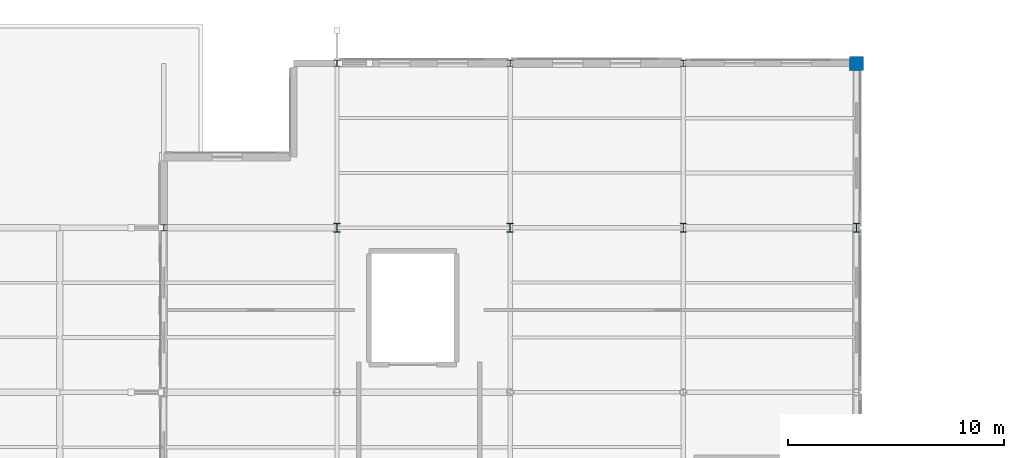
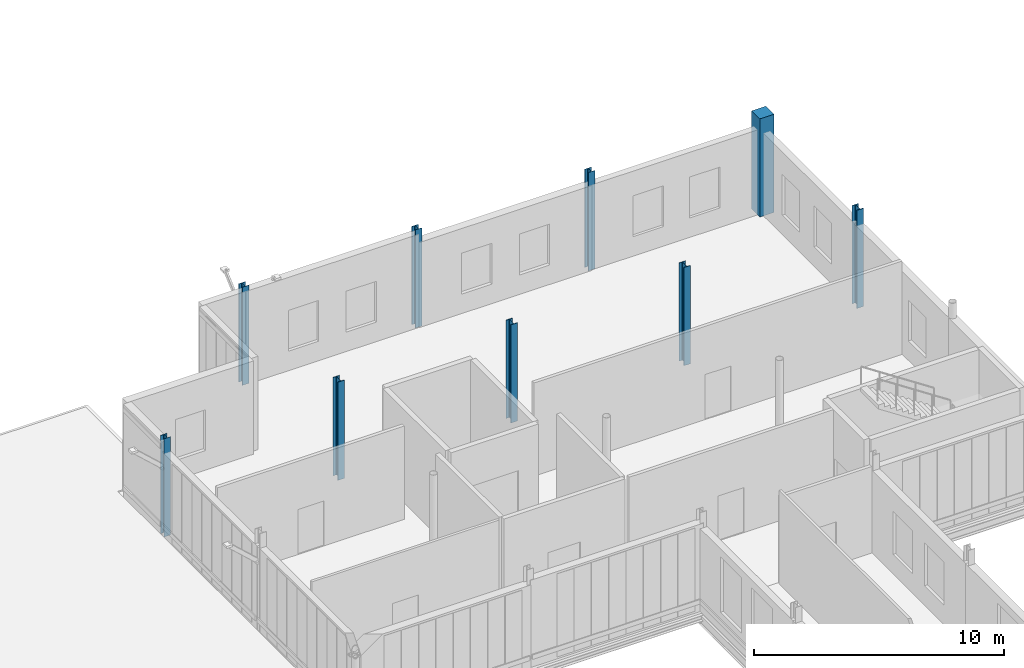
# One storey, part 16 of 120: 9 columns.
"""IFC4 building model written with IfcOpenShell, lengths in metres."""

from ifc_helpers import new_model, si_unit, direction, frame, origin, origin_2d, place, context, subcontext, project, spatial, rectangle, i_section, extrude, material, material_profile, profile_set, type_object, element, save


model = new_model("IFC4")

# Units and contexts
model_context = context("Model", 3, precision=1e-05, world=origin(), true_north=direction((0.0, 1.0)))
body_context = subcontext(model_context, "Body", "Model", "MODEL_VIEW")
ifc_project = project(units=[si_unit("LENGTHUNIT", "METRE"), si_unit("AREAUNIT", "SQUARE_METRE"), si_unit("VOLUMEUNIT", "CUBIC_METRE"), si_unit("PLANEANGLEUNIT", "RADIAN"), si_unit("MASSUNIT", "GRAM", prefix="KILO")], contexts=[model_context])

# Site, building, storey
site_placement = place(None, origin())
site = spatial("IfcSite", under=ifc_project, at=site_placement, CompositionType="ELEMENT")
building_placement = place(site_placement, origin())
building = spatial("IfcBuilding", under=site, at=building_placement, Name="Vekula Escarpment Museum", CompositionType="ELEMENT")
storey_placement = place(building_placement, frame((0.0, 0.0, 13.199951171875)))
storey = spatial("IfcBuildingStorey", under=building, at=storey_placement, Name="L03", CompositionType="ELEMENT", Elevation=13.199951171875)

# Columns
ifc_material_1 = material(Name="Steel S355", Category="steel")
ifc_material_profile_1 = material_profile(ifc_material_1, i_section(OverallWidth=0.300048828125, OverallDepth=0.2900390625, WebThickness=0.008544921875, FlangeThickness=0.013916015625, FilletRadius=0.027099609375, at=origin_2d()), Name="HEA 300")
ifc_profile_set_1 = profile_set([ifc_material_profile_1], Name="Steel S355")
column_type_1 = type_object("IfcColumnType", Name="COL-S-HEA300", PredefinedType="COLUMN", material=ifc_profile_set_1)
for number, where, z_axis, x_axis, name in (
    (1, (24.0, 128.39990234375, 0.0), (0.0, 0.0, 1.0), (1.0, 0.0, 0.0), "Column L03 (24.0,128.4)"),
    (2, (32.0, 136.0, 0.0), (0.0, 0.0, 1.0), (1.0, 0.0, 0.0), "Column L03 (32.0,136.0)"),
    (3, (40.0, 136.0, 0.0), (0.0, 0.0, 1.0), (1.0, 0.0, 0.0), "Column L03 (40.0,136.0)"),
    (4, (48.0, 136.0, 0.0), (0.0, 0.0, 1.0), (1.0, 0.0, 0.0), "Column L03 (48.0,136.0)"),
):
    element("IfcColumn", number, at=place(storey_placement, frame(where, z_axis=z_axis, x_axis=x_axis)), inside=storey, type_object=column_type_1, Name=name, PredefinedType="COLUMN", context=body_context, shape_type="SweptSolid", body=[
        extrude(i_section(OverallWidth=0.300048828125, OverallDepth=0.2900390625, WebThickness=0.008544921875, FlangeThickness=0.013916015625, FilletRadius=0.027099609375, at=origin_2d()), origin(), (0.0, 0.0, 1.0), 4.800048828125),
    ])
ifc_material_2 = material(Name="Steel S355", Category="steel")
ifc_material_profile_2 = material_profile(ifc_material_2, i_section(OverallWidth=0.300048828125, OverallDepth=0.39990234375, WebThickness=0.013427734375, FlangeThickness=0.02392578125, FilletRadius=0.027099609375, at=origin_2d()), Name="HEB 400")
ifc_profile_set_2 = profile_set([ifc_material_profile_2], Name="Steel S355")
column_type_2 = type_object("IfcColumnType", Name="COL-S-HEB400", PredefinedType="COLUMN", material=ifc_profile_set_2)
for number, where, z_axis, x_axis, name in (
    (5, (32.0, 128.39990234375, 0.0), (0.0, 0.0, 1.0), (1.0, 0.0, 0.0), "Column L03 (32.0,128.4)"),
    (6, (40.0, 128.39990234375, 0.0), (0.0, 0.0, 1.0), (1.0, 0.0, 0.0), "Column L03 (40.0,128.4)"),
    (7, (48.0, 128.39990234375, 0.0), (0.0, 0.0, 1.0), (1.0, 0.0, 0.0), "Column L03 (48.0,128.4)"),
    (8, (56.0, 128.39990234375, 0.0), (0.0, 0.0, 1.0), (1.0, 0.0, 0.0), "Column L03 (56.0,128.4)"),
):
    element("IfcColumn", number, at=place(storey_placement, frame(where, z_axis=z_axis, x_axis=x_axis)), inside=storey, type_object=column_type_2, Name=name, PredefinedType="COLUMN", context=body_context, shape_type="SweptSolid", body=[
        extrude(i_section(OverallWidth=0.300048828125, OverallDepth=0.39990234375, WebThickness=0.013427734375, FlangeThickness=0.02392578125, FilletRadius=0.027099609375, at=origin_2d()), origin(), (0.0, 0.0, 1.0), 4.800048828125),
    ])
ifc_material_3 = material(Name="Inkisi arkosic sandstone masonry", Category="masonry")
ifc_material_profile_3 = material_profile(ifc_material_3, rectangle(XDim=0.64990234375, YDim=0.64990234375, at=origin_2d()), Name="PIER 650x650")
ifc_profile_set_3 = profile_set([ifc_material_profile_3], Name="Inkisi arkosic sandstone masonry")
column_type_3 = type_object("IfcColumnType", Name="PIL-ALM-650", PredefinedType="PILASTER", material=ifc_profile_set_3)
column_placement = place(storey_placement, frame((56.0, 136.0, 0.0), z_axis=(0.0, 0.0, 1.0), x_axis=(1.0, 0.0, 0.0)))
element("IfcColumn", 9, at=column_placement, inside=storey, type_object=column_type_3, Name="Column L03 (56.0,136.0)", PredefinedType="PILASTER", context=body_context, shape_type="SweptSolid", body=[
    extrude(rectangle(XDim=0.64990234375, YDim=0.64990234375, at=origin_2d()), origin(), (0.0, 0.0, 1.0), 4.800048828125),
])

save(model, "model.ifc")
